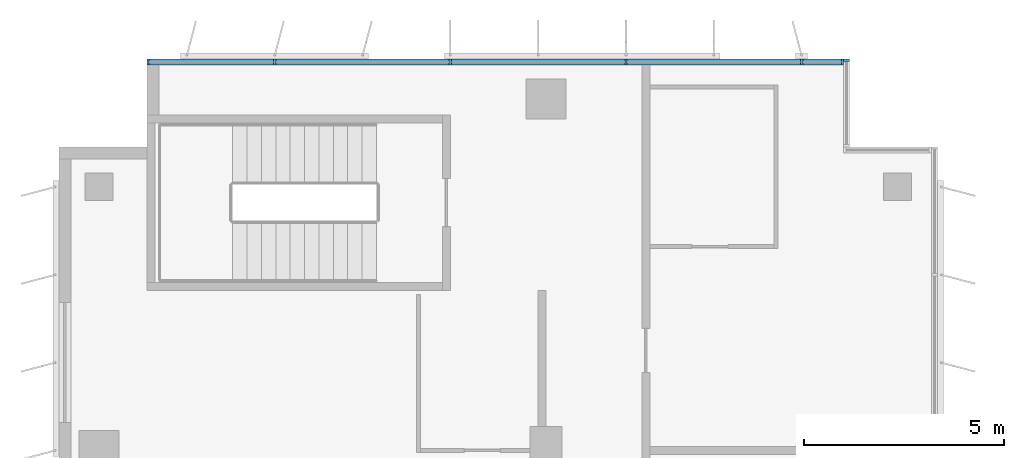
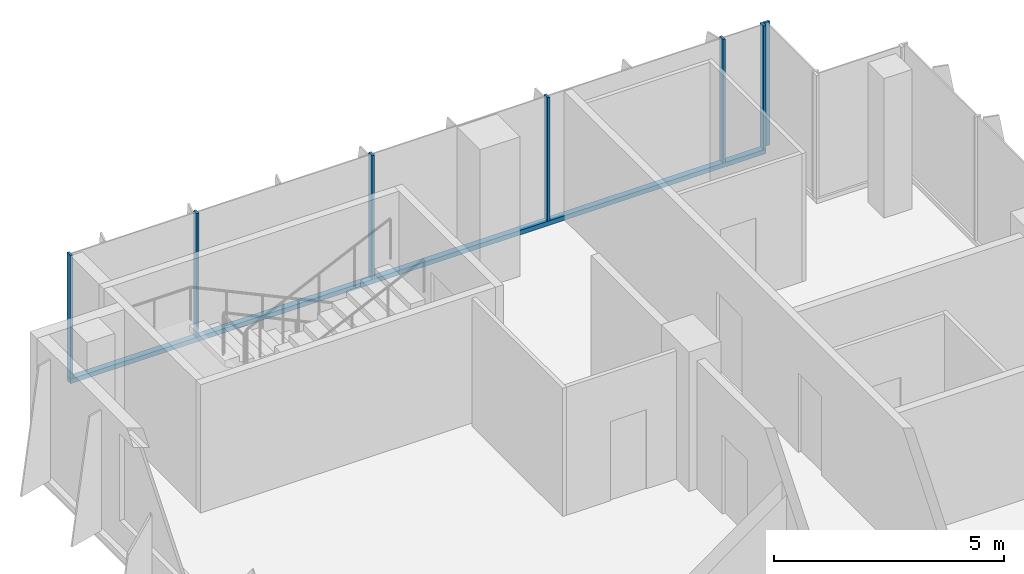
# One storey, part 9 of 20: 8 members, 2 elements without a shape of their own.
"""IFC4 building model written with IfcOpenShell, lengths in metres."""

from ifc_helpers import new_model, si_unit, direction, frame, origin, origin_2d, place, context, subcontext, project, spatial, rectangle, extrude, source, transform, mapped, material, material_profile, profile_set, type_object, element, aggregate, save


model = new_model("IFC4")

# Units and contexts
model_context = context("Model", 3, precision=1e-05, world=origin(), true_north=direction((0.0, 1.0)))
body_context = subcontext(model_context, "Body", "Model", "MODEL_VIEW")
ifc_project = project(units=[si_unit("LENGTHUNIT", "METRE"), si_unit("AREAUNIT", "SQUARE_METRE"), si_unit("VOLUMEUNIT", "CUBIC_METRE"), si_unit("PLANEANGLEUNIT", "RADIAN"), si_unit("MASSUNIT", "GRAM", prefix="KILO")], contexts=[model_context])

# Site, building, storey
site_placement = place(None, origin())
site = spatial("IfcSite", under=ifc_project, at=site_placement, CompositionType="ELEMENT")
building_placement = place(site_placement, origin())
building = spatial("IfcBuilding", under=site, at=building_placement, Name="Kemantara Hotel Tower", CompositionType="ELEMENT")
storey_placement = place(building_placement, frame((0.0, 0.0, 186.39990234375)))
storey = spatial("IfcBuildingStorey", under=building, at=storey_placement, Name="L46", CompositionType="ELEMENT", Elevation=186.39990234375)

# Curtain wall, members
ifc_material_1 = material(Name="Low-E tinted double insulated glass 36 mm", Category="glass")
curtain_wall_type = type_object("IfcCurtainWallType", Name="TOWER CURTAIN WALL, FRONT FACES", PredefinedType="USERDEFINED", material=ifc_material_1)
curtain_wall_1_placement = place(storey_placement, origin())
curtain_wall_1 = element("IfcCurtainWall", 1, at=curtain_wall_1_placement, inside=storey, type_object=curtain_wall_type, Name="CW4 L46 T3-R02-1", ObjectType="TOWER CURTAIN WALL, FRONT FACES", PredefinedType="USERDEFINED")
ifc_material_2 = material(Name="Aluminium 6063-T6 bronze anodised", Category="aluminium")
ifc_material_profile_1 = material_profile(ifc_material_2, rectangle(XDim=0.14990234375, YDim=0.1201171875, at=origin_2d()), Name="TOWER CURTAIN WALL, FRONT FACES TRANSOM")
ifc_profile_set_1 = profile_set([ifc_material_profile_1], Name="Aluminium 6063-T6 bronze anodised")
member_type_1 = type_object("IfcMemberType", Name="TOWER CURTAIN WALL, FRONT FACES TRANSOM", PredefinedType="USERDEFINED", material=ifc_profile_set_1)
member_1_placement = place(storey_placement, frame((19.64990234375, 63.52490234375, 0.06005859375), z_axis=(-1.0, 0.0, 0.0), x_axis=(0.0, -1.0, 0.0)))
member_1 = element("IfcMember", 2, at=member_1_placement, type_object=member_type_1, Name="CW4 sill transom T3-R02-1", ObjectType="TRANSOM", PredefinedType="USERDEFINED", context=body_context, shape_type="SweptSolid", body=[
    extrude(rectangle(XDim=0.14990234375, YDim=0.1201171875, at=origin_2d()), origin(), (0.0, 0.0, 1.0), 17.449951171875),
])
ifc_material_profile_2 = material_profile(ifc_material_2, rectangle(XDim=0.14990234375, YDim=0.06005859375, at=origin_2d()), Name="TOWER CURTAIN WALL, FRONT FACES MULLION")
ifc_profile_set_2 = profile_set([ifc_material_profile_2], Name="Aluminium 6063-T6 bronze anodised")
member_type_2 = type_object("IfcMemberType", Name="TOWER CURTAIN WALL, FRONT FACES MULLION", PredefinedType="MULLION", material=ifc_profile_set_2)
shared_shape = source(origin(), body_context, "Body", "SweptSolid", [
    extrude(rectangle(XDim=0.14990234375, YDim=0.06005859375, at=origin_2d()), origin(), (0.0, 0.0, 1.0), 3.280029296875),
])
member_2_placement = place(storey_placement, frame((19.6201171875, 63.52490234375, 0.1201171875), z_axis=(0.0, 0.0, 1.0), x_axis=(0.0, -1.0, 0.0)))
member_2 = element("IfcMember", 3, at=member_2_placement, type_object=member_type_2, Name="CW4 mullion T3-R02-1.1", PredefinedType="MULLION", context=body_context, shape_type="MappedRepresentation", body=[
    mapped(shared_shape, transform((0.0, 0.0, 0.0))),
])
member_3_placement = place(storey_placement, frame((18.60009765625, 63.52490234375, 0.1201171875), z_axis=(0.0, 0.0, 1.0), x_axis=(0.0, -1.0, 0.0)))
member_3 = element("IfcMember", 4, at=member_3_placement, type_object=member_type_2, Name="CW4 mullion T3-R02-1.2", PredefinedType="MULLION", context=body_context, shape_type="MappedRepresentation", body=[
    mapped(shared_shape, transform((0.0, 0.0, 0.0))),
])
member_4_placement = place(storey_placement, frame((14.199951171875, 63.52490234375, 0.1201171875), z_axis=(0.0, 0.0, 1.0), x_axis=(0.0, -1.0, 0.0)))
member_4 = element("IfcMember", 5, at=member_4_placement, type_object=member_type_2, Name="CW4 mullion T3-R02-1.3", PredefinedType="MULLION", context=body_context, shape_type="MappedRepresentation", body=[
    mapped(shared_shape, transform((0.0, 0.0, 0.0))),
])
member_5_placement = place(storey_placement, frame((9.800048828125, 63.52490234375, 0.1201171875), z_axis=(0.0, 0.0, 1.0), x_axis=(0.0, -1.0, 0.0)))
member_5 = element("IfcMember", 6, at=member_5_placement, type_object=member_type_2, Name="CW4 mullion T3-R02-1.4", PredefinedType="MULLION", context=body_context, shape_type="MappedRepresentation", body=[
    mapped(shared_shape, transform((0.0, 0.0, 0.0))),
])
member_6_placement = place(storey_placement, frame((5.39990234375, 63.52490234375, 0.1201171875), z_axis=(0.0, 0.0, 1.0), x_axis=(0.0, -1.0, 0.0)))
member_6 = element("IfcMember", 7, at=member_6_placement, type_object=member_type_2, Name="CW4 mullion T3-R02-1.5", PredefinedType="MULLION", context=body_context, shape_type="MappedRepresentation", body=[
    mapped(shared_shape, transform((0.0, 0.0, 0.0))),
])
member_7_placement = place(storey_placement, frame((2.22998046875, 63.52490234375, 0.1201171875), z_axis=(0.0, 0.0, 1.0), x_axis=(0.0, -1.0, 0.0)))
member_7 = element("IfcMember", 8, at=member_7_placement, type_object=member_type_2, Name="CW4 mullion T3-R02-1.6", PredefinedType="MULLION", context=body_context, shape_type="MappedRepresentation", body=[
    mapped(shared_shape, transform((0.0, 0.0, 0.0))),
])
aggregate(curtain_wall_1, [member_1, member_2, member_3, member_4, member_5, member_6, member_7])

# Curtain wall, member
curtain_wall_2_placement = place(storey_placement, origin())
curtain_wall_2 = element("IfcCurtainWall", 9, at=curtain_wall_2_placement, inside=storey, type_object=curtain_wall_type, Name="CW4 L46 T3-R01-1", ObjectType="TOWER CURTAIN WALL, FRONT FACES", PredefinedType="USERDEFINED")
member_8_placement = place(storey_placement, frame((19.72509765625, 63.570068359375, 0.1201171875), z_axis=(0.0, 0.0, 1.0), x_axis=(-1.0, 0.0, 0.0)))
member_8 = element("IfcMember", 10, at=member_8_placement, type_object=member_type_2, Name="CW4 mullion T3-R01-1.2", PredefinedType="MULLION", context=body_context, shape_type="MappedRepresentation", body=[
    mapped(shared_shape, transform((0.0, 0.0, 0.0))),
])
aggregate(curtain_wall_2, [member_8])

save(model, "model.ifc")
